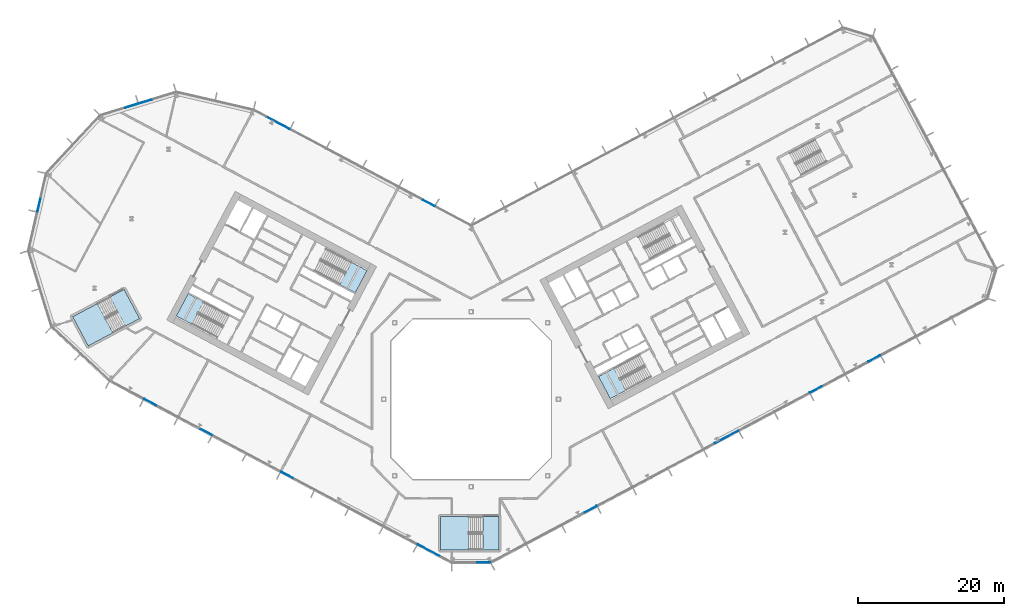
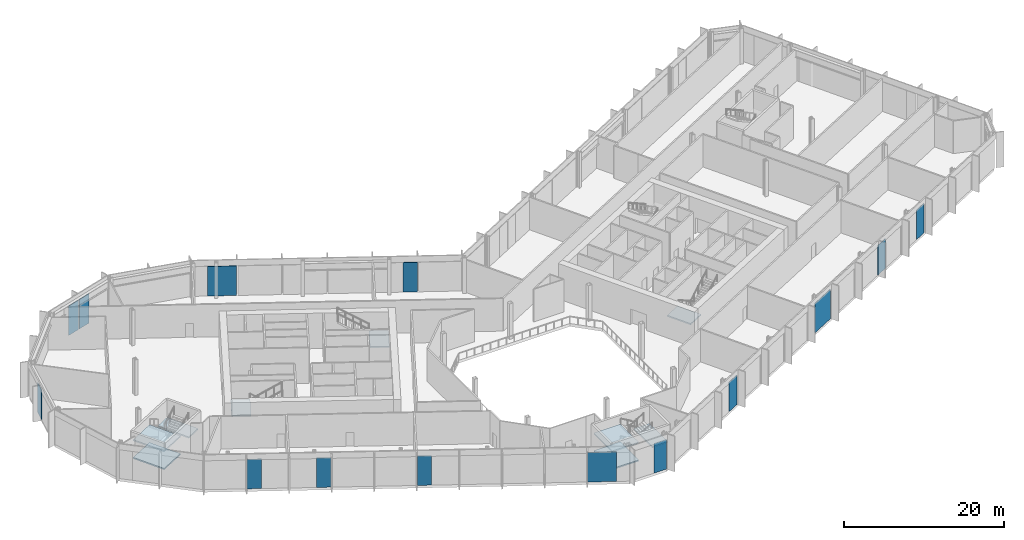
# One storey, part 9 of 32: 14 plates, 9 slabs, 11 elements without a shape of their own.
"""IFC4 building model written with IfcOpenShell, lengths in metres."""

from ifc_helpers import new_model, si_unit, direction, frame, origin, origin_2d, place, context, subcontext, project, spatial, polyline, rectangle, outline, extrude, material, layer, layer_set, type_object, element, aggregate, save


model = new_model("IFC4")

# Units and contexts
model_context = context("Model", 3, precision=1e-05, world=origin(), true_north=direction((0.0, 1.0)))
body_context = subcontext(model_context, "Body", "Model", "MODEL_VIEW")
ifc_project = project(units=[si_unit("LENGTHUNIT", "METRE"), si_unit("AREAUNIT", "SQUARE_METRE"), si_unit("VOLUMEUNIT", "CUBIC_METRE"), si_unit("PLANEANGLEUNIT", "RADIAN"), si_unit("MASSUNIT", "GRAM", prefix="KILO")], contexts=[model_context])

# Site, building, storey
site_placement = place(None, origin())
site = spatial("IfcSite", under=ifc_project, at=site_placement, CompositionType="ELEMENT")
building_placement = place(site_placement, origin())
building = spatial("IfcBuilding", under=site, at=building_placement, Name="Cormorant Relay Tower", CompositionType="ELEMENT")
storey_placement = place(building_placement, frame((0.0, 0.0, 39.199951171875)))
storey = spatial("IfcBuildingStorey", under=building, at=storey_placement, Name="L07", CompositionType="ELEMENT", Elevation=39.199951171875)

# Curtain wall, plate
ifc_material_1 = material(Name="Aluminium 6063-T6 anodised bronze", Category="aluminium")
ifc_layer_1 = layer(ifc_material_1, 0.235107421875)
ifc_layer_set_1 = layer_set([ifc_layer_1], Name="CW6 data hall curtain wall with mineral wool panels")
curtain_wall_type = type_object("IfcCurtainWallType", Name="CW6 data hall curtain wall with mineral wool panels", PredefinedType="NOTDEFINED", material=ifc_layer_set_1)
curtain_wall_1_placement = place(storey_placement, origin())
curtain_wall_1 = element("IfcCurtainWall", 1, at=curtain_wall_1_placement, inside=storey, type_object=curtain_wall_type, Name="CW6 curtain wall 1", PredefinedType="NOTDEFINED")
ifc_material_2 = material(Name="Tinted triple-glazed laminated unit")
ifc_layer_2 = layer(ifc_material_2, 0.074951171875)
ifc_layer_set_2 = layer_set([ifc_layer_2], Name="CW6 triple-glazed vision unit 1800 module")
plate_type_1 = type_object("IfcPlateType", Name="CW6 triple-glazed vision unit 1800 module", PredefinedType="CURTAIN_PANEL", material=ifc_layer_set_2)
plate_1_placement = place(storey_placement, frame((1.748779296875, -22.4130859375, 0.0), z_axis=(0.0, 0.0, 1.0), x_axis=(1.0, 0.0, 0.0)))
plate_1 = element("IfcPlate", 2, at=plate_1_placement, type_object=plate_type_1, Name="CW6 panel V01", PredefinedType="CURTAIN_PANEL", context=body_context, shape_type="SweptSolid", body=[
    extrude(rectangle(XDim=1.800048828125, YDim=0.074951171875, at=origin_2d()), origin(), (0.0, 0.0, 1.0), 4.5),
])
aggregate(curtain_wall_1, [plate_1])

# Curtain wall, plates
curtain_wall_2_placement = place(storey_placement, origin())
curtain_wall_2 = element("IfcCurtainWall", 3, at=curtain_wall_2_placement, inside=storey, type_object=curtain_wall_type, Name="CW6 curtain wall 2", PredefinedType="NOTDEFINED")
plate_2_placement = place(storey_placement, frame((16.405517578125, -15.103515625, 0.0), z_axis=(0.0, 0.0, 1.0), x_axis=(0.882947592859, 0.469471562786, 0.0)))
plate_2 = element("IfcPlate", 4, at=plate_2_placement, type_object=plate_type_1, Name="CW6 panel V02", PredefinedType="CURTAIN_PANEL", context=body_context, shape_type="SweptSolid", body=[
    extrude(rectangle(XDim=1.800048828125, YDim=0.074951171875, at=origin_2d()), origin(), (0.0, 0.0, 1.0), 4.5),
])
plate_3_placement = place(storey_placement, frame((47.327392578125, 1.337890625, 0.0), z_axis=(0.0, 0.0, 1.0), x_axis=(0.882947592859, 0.469471562786, 0.0)))
plate_3 = element("IfcPlate", 5, at=plate_3_placement, type_object=plate_type_1, Name="CW6 panel V09", PredefinedType="CURTAIN_PANEL", context=body_context, shape_type="SweptSolid", body=[
    extrude(rectangle(XDim=1.800048828125, YDim=0.074951171875, at=origin_2d()), origin(), (0.0, 0.0, 1.0), 4.5),
])
plate_4_placement = place(storey_placement, frame((55.339111328125, 5.597900390625, 0.0), z_axis=(0.0, 0.0, 1.0), x_axis=(0.882947592859, 0.469471562786, 0.0)))
plate_4 = element("IfcPlate", 6, at=plate_4_placement, type_object=plate_type_1, Name="CW6 panel V11", PredefinedType="CURTAIN_PANEL", context=body_context, shape_type="SweptSolid", body=[
    extrude(rectangle(XDim=1.800048828125, YDim=0.074951171875, at=origin_2d()), origin(), (0.0, 0.0, 1.0), 4.5),
])

# Curtain wall, plate
curtain_wall_3_placement = place(storey_placement, origin())
curtain_wall_3 = element("IfcCurtainWall", 7, at=curtain_wall_3_placement, inside=storey, type_object=curtain_wall_type, Name="CW6 curtain wall 7", PredefinedType="NOTDEFINED")
plate_5_placement = place(storey_placement, frame((-5.822265625, 26.922119140625, 0.0), z_axis=(0.0, 0.0, 1.0), x_axis=(-0.882947592859, 0.469471562786, 0.0)))
plate_5 = element("IfcPlate", 8, at=plate_5_placement, type_object=plate_type_1, Name="CW6 panel V01", PredefinedType="CURTAIN_PANEL", context=body_context, shape_type="SweptSolid", body=[
    extrude(rectangle(XDim=1.800048828125, YDim=0.074951171875, at=origin_2d()), origin(), (0.0, 0.0, 1.0), 4.5),
])

# Curtain wall, plates
curtain_wall_4_placement = place(storey_placement, origin())
curtain_wall_4 = element("IfcCurtainWall", 9, at=curtain_wall_4_placement, inside=storey, type_object=curtain_wall_type, Name="CW6 curtain wall 9", PredefinedType="NOTDEFINED")
plate_6_placement = place(storey_placement, frame((-44.74169921875, 40.84521484375, 0.0), z_axis=(0.0, 0.0, 1.0), x_axis=(-0.956304755963, -0.292371704723, 0.0)))
plate_6 = element("IfcPlate", 10, at=plate_6_placement, type_object=plate_type_1, Name="CW6 panel V01", PredefinedType="CURTAIN_PANEL", context=body_context, shape_type="SweptSolid", body=[
    extrude(rectangle(XDim=1.800048828125, YDim=0.074951171875, at=origin_2d()), origin(), (0.0, 0.0, 1.0), 4.5),
])
plate_7_placement = place(storey_placement, frame((-46.606689453125, 40.275146484375, 0.0), z_axis=(0.0, 0.0, 1.0), x_axis=(-0.956304755963, -0.292371704723, 0.0)))
plate_7 = element("IfcPlate", 11, at=plate_7_placement, type_object=plate_type_1, Name="CW6 panel V02", PredefinedType="CURTAIN_PANEL", context=body_context, shape_type="SweptSolid", body=[
    extrude(rectangle(XDim=1.800048828125, YDim=0.074951171875, at=origin_2d()), origin(), (0.0, 0.0, 1.0), 4.5),
])
aggregate(curtain_wall_4, [plate_6, plate_7])

# Curtain wall, plate
curtain_wall_5_placement = place(storey_placement, origin())
curtain_wall_5 = element("IfcCurtainWall", 12, at=curtain_wall_5_placement, inside=storey, type_object=curtain_wall_type, Name="CW6 curtain wall 11", PredefinedType="NOTDEFINED")
plate_8_placement = place(storey_placement, frame((-59.314453125, 26.647705078125, 0.0), z_axis=(0.0, 0.0, 1.0), x_axis=(-0.224951054344, -0.974370064785, 0.0)))
plate_8 = element("IfcPlate", 13, at=plate_8_placement, type_object=plate_type_1, Name="CW6 panel V01", PredefinedType="CURTAIN_PANEL", context=body_context, shape_type="SweptSolid", body=[
    extrude(rectangle(XDim=1.800048828125, YDim=0.074951171875, at=origin_2d()), origin(), (0.0, 0.0, 1.0), 4.5),
])
aggregate(curtain_wall_5, [plate_8])

# Curtain wall, plates
curtain_wall_6_placement = place(storey_placement, origin())
curtain_wall_6 = element("IfcCurtainWall", 14, at=curtain_wall_6_placement, inside=storey, type_object=curtain_wall_type, Name="CW6 curtain wall 14", PredefinedType="NOTDEFINED")
plate_9_placement = place(storey_placement, frame((-44.053955078125, -0.402587890625, 0.0), z_axis=(0.0, 0.0, 1.0), x_axis=(0.882947592859, -0.469471562786, 0.0)))
plate_9 = element("IfcPlate", 15, at=plate_9_placement, type_object=plate_type_1, Name="CW6 panel V01", PredefinedType="CURTAIN_PANEL", context=body_context, shape_type="SweptSolid", body=[
    extrude(rectangle(XDim=1.800048828125, YDim=0.074951171875, at=origin_2d()), origin(), (0.0, 0.0, 1.0), 4.5),
])
plate_10_placement = place(storey_placement, frame((-36.38720703125, -4.47900390625, 0.0), z_axis=(0.0, 0.0, 1.0), x_axis=(0.882947592859, -0.469471562786, 0.0)))
plate_10 = element("IfcPlate", 16, at=plate_10_placement, type_object=plate_type_1, Name="CW6 panel V03", PredefinedType="CURTAIN_PANEL", context=body_context, shape_type="SweptSolid", body=[
    extrude(rectangle(XDim=1.800048828125, YDim=0.074951171875, at=origin_2d()), origin(), (0.0, 0.0, 1.0), 4.5),
])
plate_11_placement = place(storey_placement, frame((-25.27685546875, -10.386474609375, 0.0), z_axis=(0.0, 0.0, 1.0), x_axis=(0.882947592859, -0.469471562786, 0.0)))
plate_11 = element("IfcPlate", 17, at=plate_11_placement, type_object=plate_type_1, Name="CW6 panel V05", PredefinedType="CURTAIN_PANEL", context=body_context, shape_type="SweptSolid", body=[
    extrude(rectangle(XDim=1.800048828125, YDim=0.074951171875, at=origin_2d()), origin(), (0.0, 0.0, 1.0), 4.5),
])

# Plate
ifc_material_3 = material(Name="Tinted triple-glazed laminated unit")
ifc_layer_3 = layer(ifc_material_3, 0.074951171875)
ifc_layer_set_3 = layer_set([ifc_layer_3], Name="CW6 triple-glazed vision unit 3600 module")
plate_type_2 = type_object("IfcPlateType", Name="CW6 triple-glazed vision unit 3600 module", PredefinedType="CURTAIN_PANEL", material=ifc_layer_set_3)
plate_12_placement = place(storey_placement, frame((35.07763671875, -5.17529296875, 0.0), z_axis=(0.0, 0.0, 1.0), x_axis=(0.882947592859, 0.469471562786, 0.0)))
plate_12 = element("IfcPlate", 18, at=plate_12_placement, type_object=plate_type_2, Name="CW6 panel V06", PredefinedType="CURTAIN_PANEL", context=body_context, shape_type="SweptSolid", body=[
    extrude(rectangle(XDim=3.60009765625, YDim=0.074951171875, at=origin_2d()), origin(), (0.0, 0.0, 1.0), 4.5),
])

aggregate(curtain_wall_2, [plate_2, plate_12, plate_3, plate_4])

plate_13_placement = place(storey_placement, frame((-26.53271484375, 37.93408203125, 0.0), z_axis=(0.0, 0.0, 1.0), x_axis=(-0.882947592859, 0.469471562786, 0.0)))
plate_13 = element("IfcPlate", 19, at=plate_13_placement, type_object=plate_type_2, Name="CW6 panel V05", PredefinedType="CURTAIN_PANEL", context=body_context, shape_type="SweptSolid", body=[
    extrude(rectangle(XDim=3.60009765625, YDim=0.074951171875, at=origin_2d()), origin(), (0.0, 0.0, 1.0), 4.5),
])

aggregate(curtain_wall_3, [plate_5, plate_13])

plate_14_placement = place(storey_placement, frame((-5.705078125, -20.79296875, 0.0), z_axis=(0.0, 0.0, 1.0), x_axis=(0.882947592859, -0.469471562786, 0.0)))
plate_14 = element("IfcPlate", 20, at=plate_14_placement, type_object=plate_type_2, Name="CW6 panel V08", PredefinedType="CURTAIN_PANEL", context=body_context, shape_type="SweptSolid", body=[
    extrude(rectangle(XDim=3.60009765625, YDim=0.074951171875, at=origin_2d()), origin(), (0.0, 0.0, 1.0), 4.5),
])

aggregate(curtain_wall_6, [plate_9, plate_10, plate_11, plate_14])

# Stair, slab
ifc_material_4 = material(Name="Concrete 40 MPa", Category="concrete")
stair_type_1 = type_object("IfcStairType", Name="Exit stair 1500", PredefinedType="HALF_TURN_STAIR", material=ifc_material_4)
stair_1_placement = place(storey_placement, origin())
stair_1 = element("IfcStair", 21, at=stair_1_placement, inside=storey, type_object=stair_type_1, Name="L07 Stair", PredefinedType="HALF_TURN_STAIR")
ifc_material_5 = material(Name="Concrete 40 MPa", Category="concrete")
ifc_layer_4 = layer(ifc_material_5, 0.199951171875)
ifc_layer_set_4 = layer_set([ifc_layer_4], Name="Exit stair landing 200")
slab_type = type_object("IfcSlabType", Name="Exit stair landing 200", PredefinedType="LANDING", material=ifc_layer_set_4)
slab_1_placement = place(storey_placement, frame((0.0, 0.0, 2.5)))
slab_1 = element("IfcSlab", 22, at=slab_1_placement, type_object=slab_type, Name="A1 landing 1", PredefinedType="LANDING", context=body_context, shape_type="SweptSolid", body=[
    extrude(outline(polyline([(-18.04052734375, 15.764892578125), (-15.89501953125, 14.6240234375), (-14.275390625, 17.670166015625), (-16.4208984375, 18.81103515625), (-18.04052734375, 15.764892578125)])), origin(), (0.0, 0.0, 1.0), 0.199951171875),
])
aggregate(stair_1, [slab_1])

stair_2_placement = place(storey_placement, origin())
stair_2 = element("IfcStair", 23, at=stair_2_placement, inside=storey, type_object=stair_type_1, Name="L07 Stair", PredefinedType="HALF_TURN_STAIR")
slab_2_placement = place(storey_placement, frame((0.0, 0.0, 2.5)))
slab_2 = element("IfcSlab", 24, at=slab_2_placement, type_object=slab_type, Name="A2 landing 1", PredefinedType="LANDING", context=body_context, shape_type="SweptSolid", body=[
    extrude(outline(polyline([(-36.7021484375, 13.34228515625), (-38.84765625, 14.483154296875), (-40.467529296875, 11.43701171875), (-38.32177734375, 10.296142578125), (-36.7021484375, 13.34228515625)])), origin(), (0.0, 0.0, 1.0), 0.199951171875),
])
aggregate(stair_2, [slab_2])

stair_3_placement = place(storey_placement, origin())
stair_3 = element("IfcStair", 25, at=stair_3_placement, inside=storey, type_object=stair_type_1, Name="L07 Stair", PredefinedType="HALF_TURN_STAIR")
slab_3_placement = place(storey_placement, frame((0.0, 0.0, 2.5)))
slab_3 = element("IfcSlab", 26, at=slab_3_placement, type_object=slab_type, Name="B1 landing 1", PredefinedType="LANDING", context=body_context, shape_type="SweptSolid", body=[
    extrude(outline(polyline([(19.6259765625, 4.262939453125), (17.48046875, 3.1220703125), (19.10009765625, 0.075927734375), (21.24560546875, 1.216552734375), (19.6259765625, 4.262939453125)])), origin(), (0.0, 0.0, 1.0), 0.199951171875),
])
aggregate(stair_3, [slab_3])

# Stair, slabs
ifc_material_6 = material(Name="Concrete 40 MPa", Category="concrete")
stair_type_2 = type_object("IfcStairType", Name="Remote exit stair 2200", PredefinedType="HALF_TURN_STAIR", material=ifc_material_6)
stair_4_placement = place(storey_placement, origin())
stair_4 = element("IfcStair", 27, at=stair_4_placement, inside=storey, type_object=stair_type_2, Name="L07 Stair", PredefinedType="HALF_TURN_STAIR")
slab_4_placement = place(storey_placement, frame((0.0, 0.0, 1.150146484375)))
slab_4 = element("IfcSlab", 28, at=slab_4_placement, type_object=slab_type, Name="RK1 landing 1", PredefinedType="LANDING", context=body_context, shape_type="SweptSolid", body=[
    extrude(outline(polyline([(-0.360107421875, -16.125), (-4.199951171875, -16.125), (-4.199951171875, -20.675048828125), (-0.360107421875, -20.675048828125), (-0.360107421875, -16.125)])), origin(), (0.0, 0.0, 1.0), 0.199951171875),
])
slab_5_placement = place(storey_placement, frame((0.0, 0.0, 2.5)))
slab_5 = element("IfcSlab", 29, at=slab_5_placement, type_object=slab_type, Name="RK1 landing 2", PredefinedType="LANDING", context=body_context, shape_type="SweptSolid", body=[
    extrude(outline(polyline([(3.800048828125, -16.125), (1.60009765625, -16.125), (1.60009765625, -20.675048828125), (3.800048828125, -20.675048828125), (3.800048828125, -16.125)])), origin(), (0.0, 0.0, 1.0), 0.199951171875),
])
slab_6_placement = place(storey_placement, frame((0.0, 0.0, 3.85009765625)))
slab_6 = element("IfcSlab", 30, at=slab_6_placement, type_object=slab_type, Name="RK1 landing 3", PredefinedType="LANDING", context=body_context, shape_type="SweptSolid", body=[
    extrude(outline(polyline([(-0.360107421875, -16.125), (-4.199951171875, -16.125), (-4.199951171875, -20.675048828125), (-0.360107421875, -20.675048828125), (-0.360107421875, -16.125)])), origin(), (0.0, 0.0, 1.0), 0.199951171875),
])
aggregate(stair_4, [slab_4, slab_5, slab_6])

stair_5_placement = place(storey_placement, origin())
stair_5 = element("IfcStair", 31, at=stair_5_placement, inside=storey, type_object=stair_type_2, Name="L07 Stair", PredefinedType="HALF_TURN_STAIR")
slab_7_placement = place(storey_placement, frame((0.0, 0.0, 1.150146484375)))
slab_7 = element("IfcSlab", 32, at=slab_7_placement, type_object=slab_type, Name="RP1 landing 1", PredefinedType="LANDING", context=body_context, shape_type="SweptSolid", body=[
    extrude(outline(polyline([(-51.309326171875, 13.133544921875), (-54.699951171875, 11.330810546875), (-52.563720703125, 7.3134765625), (-49.17333984375, 9.1162109375), (-51.309326171875, 13.133544921875)])), origin(), (0.0, 0.0, 1.0), 0.199951171875),
])
slab_8_placement = place(storey_placement, frame((0.0, 0.0, 2.5)))
slab_8 = element("IfcSlab", 33, at=slab_8_placement, type_object=slab_type, Name="RP1 landing 2", PredefinedType="LANDING", context=body_context, shape_type="SweptSolid", body=[
    extrude(outline(polyline([(-47.63623046875, 15.086669921875), (-49.578857421875, 14.0537109375), (-47.442626953125, 10.036376953125), (-45.500244140625, 11.069091796875), (-47.63623046875, 15.086669921875)])), origin(), (0.0, 0.0, 1.0), 0.199951171875),
])
slab_9_placement = place(storey_placement, frame((0.0, 0.0, 3.85009765625)))
slab_9 = element("IfcSlab", 34, at=slab_9_placement, type_object=slab_type, Name="RP1 landing 3", PredefinedType="LANDING", context=body_context, shape_type="SweptSolid", body=[
    extrude(outline(polyline([(-51.309326171875, 13.133544921875), (-54.699951171875, 11.330810546875), (-52.563720703125, 7.3134765625), (-49.17333984375, 9.1162109375), (-51.309326171875, 13.133544921875)])), origin(), (0.0, 0.0, 1.0), 0.199951171875),
])
aggregate(stair_5, [slab_7, slab_8, slab_9])

save(model, "model.ifc")
